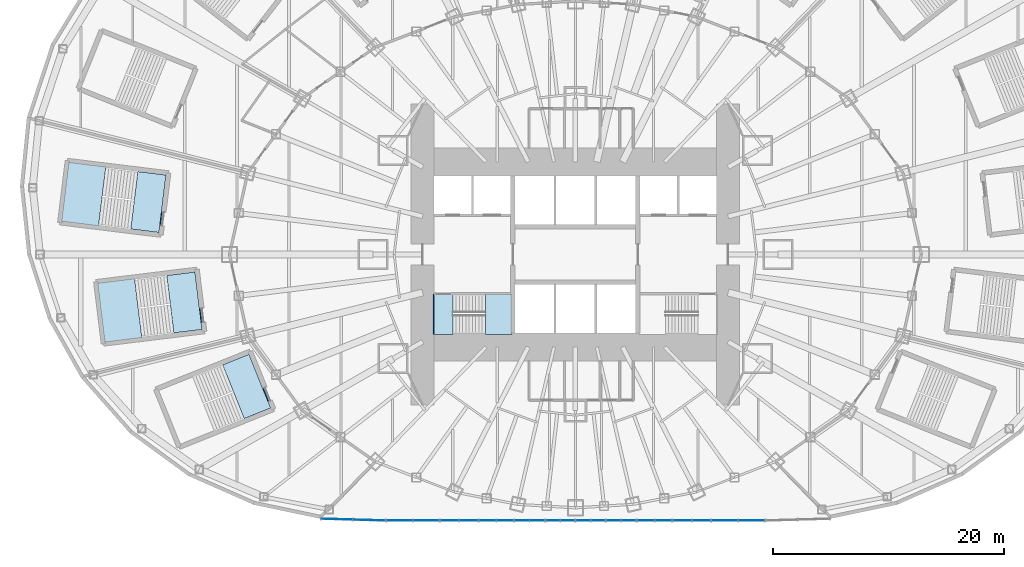
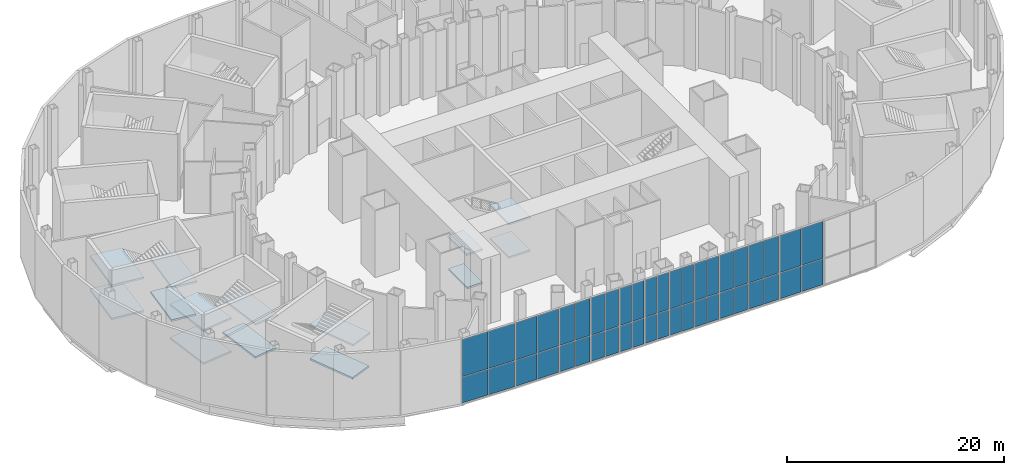
# One storey, part 11 of 73: 44 plates, 14 slabs, 15 elements without a shape of their own.
"""IFC4 building model written with IfcOpenShell, lengths in metres."""

from ifc_helpers import new_model, si_unit, direction, frame, origin, origin_2d, place, context, subcontext, project, spatial, polyline, rectangle, outline, extrude, material, layer, layer_set, type_object, element, aggregate, save


model = new_model("IFC4")

# Units and contexts
model_context = context("Model", 3, precision=1e-05, world=origin(), true_north=direction((0.0, 1.0)))
body_context = subcontext(model_context, "Body", "Model", "MODEL_VIEW")
ifc_project = project(units=[si_unit("LENGTHUNIT", "METRE"), si_unit("AREAUNIT", "SQUARE_METRE"), si_unit("VOLUMEUNIT", "CUBIC_METRE"), si_unit("PLANEANGLEUNIT", "RADIAN"), si_unit("MASSUNIT", "GRAM", prefix="KILO")], contexts=[model_context])

# Site, building, storey
site_placement = place(None, origin())
site = spatial("IfcSite", under=ifc_project, at=site_placement, CompositionType="ELEMENT")
building_placement = place(site_placement, origin())
building = spatial("IfcBuilding", under=site, at=building_placement, Name="Lantaw Convention Tower", CompositionType="ELEMENT")
storey_placement = place(building_placement, frame((0.0, 0.0, 14.5)))
storey = spatial("IfcBuildingStorey", under=building, at=storey_placement, Name="L02", CompositionType="ELEMENT", Elevation=14.5)

# Curtain wall, plates
ifc_material_1 = material(Name="Aluminium framed curtain wall", Category="aluminium")
curtain_wall_type = type_object("IfcCurtainWallType", Name="Podium storefront curtain wall, pale aluminium", PredefinedType="USERDEFINED", material=ifc_material_1)
curtain_wall_1_placement = place(storey_placement, origin())
curtain_wall_1 = element("IfcCurtainWall", 1, at=curtain_wall_1_placement, inside=storey, type_object=curtain_wall_type, Name="Podium storefront curtain wall, pale aluminium L02", ObjectType="STOREFRONT", PredefinedType="USERDEFINED")
ifc_material_2 = material(Name="Laminated clear glass", Category="glass")
ifc_layer_1 = layer(ifc_material_2, 0.031982421875)
ifc_layer_set_1 = layer_set([ifc_layer_1], Name="CW-P panel 32")
plate_type = type_object("IfcPlateType", Name="CW-P panel 32", PredefinedType="CURTAIN_PANEL", material=ifc_layer_set_1)
plate_1_placement = place(storey_placement, frame((-20.622802734375, -22.879638671875, 0.080078125), z_axis=(0.0, 0.0, 1.0), x_axis=(0.99959230263, -0.028552206976, 0.0)))
plate_1 = element("IfcPlate", 2, at=plate_1_placement, type_object=plate_type, Name="CW-P panel 1.1", PredefinedType="CURTAIN_PANEL", context=body_context, shape_type="SweptSolid", body=[
    extrude(rectangle(XDim=2.705810546875, YDim=0.031982421875, at=origin_2d()), origin(), (0.0, 0.0, 1.0), 2.8798828125),
])
plate_2_placement = place(storey_placement, frame((-20.622802734375, -22.879638671875, 3.0400390625), z_axis=(0.0, 0.0, 1.0), x_axis=(0.99959230263, -0.028552206976, 0.0)))
plate_2 = element("IfcPlate", 3, at=plate_2_placement, type_object=plate_type, Name="CW-P panel 1.2", PredefinedType="CURTAIN_PANEL", context=body_context, shape_type="SweptSolid", body=[
    extrude(rectangle(XDim=2.705810546875, YDim=0.031982421875, at=origin_2d()), origin(), (0.0, 0.0, 1.0), 4.179931640625),
])
plate_3_placement = place(storey_placement, frame((-17.838134765625, -22.958984375, 0.080078125), z_axis=(0.0, 0.0, 1.0), x_axis=(0.99959230263, -0.028552206976, 0.0)))
plate_3 = element("IfcPlate", 4, at=plate_3_placement, type_object=plate_type, Name="CW-P panel 2.1", PredefinedType="CURTAIN_PANEL", context=body_context, shape_type="SweptSolid", body=[
    extrude(rectangle(XDim=2.705810546875, YDim=0.031982421875, at=origin_2d()), origin(), (0.0, 0.0, 1.0), 2.8798828125),
])
plate_4_placement = place(storey_placement, frame((-17.838134765625, -22.958984375, 3.0400390625), z_axis=(0.0, 0.0, 1.0), x_axis=(0.99959230263, -0.028552206976, 0.0)))
plate_4 = element("IfcPlate", 5, at=plate_4_placement, type_object=plate_type, Name="CW-P panel 2.2", PredefinedType="CURTAIN_PANEL", context=body_context, shape_type="SweptSolid", body=[
    extrude(rectangle(XDim=2.705810546875, YDim=0.031982421875, at=origin_2d()), origin(), (0.0, 0.0, 1.0), 4.179931640625),
])
aggregate(curtain_wall_1, [plate_1, plate_2, plate_3, plate_4])

curtain_wall_2_placement = place(storey_placement, origin())
curtain_wall_2 = element("IfcCurtainWall", 6, at=curtain_wall_2_placement, inside=storey, type_object=curtain_wall_type, Name="Podium storefront curtain wall, pale aluminium L02", ObjectType="STOREFRONT", PredefinedType="USERDEFINED")
plate_5_placement = place(storey_placement, frame((-15.214111328125, -23.0, 0.080078125), z_axis=(0.0, 0.0, 1.0), x_axis=(1.0, 0.0, 0.0)))
plate_5 = element("IfcPlate", 7, at=plate_5_placement, type_object=plate_type, Name="CW-P panel 1.1", PredefinedType="CURTAIN_PANEL", context=body_context, shape_type="SweptSolid", body=[
    extrude(rectangle(XDim=2.223388671875, YDim=0.031982421875, at=origin_2d()), origin(), (0.0, 0.0, 1.0), 2.8798828125),
])
plate_6_placement = place(storey_placement, frame((-15.214111328125, -23.0, 3.0400390625), z_axis=(0.0, 0.0, 1.0), x_axis=(1.0, 0.0, 0.0)))
plate_6 = element("IfcPlate", 8, at=plate_6_placement, type_object=plate_type, Name="CW-P panel 1.2", PredefinedType="CURTAIN_PANEL", context=body_context, shape_type="SweptSolid", body=[
    extrude(rectangle(XDim=2.223388671875, YDim=0.031982421875, at=origin_2d()), origin(), (0.0, 0.0, 1.0), 4.179931640625),
])
plate_7_placement = place(storey_placement, frame((-12.91064453125, -23.0, 0.080078125), z_axis=(0.0, 0.0, 1.0), x_axis=(1.0, 0.0, 0.0)))
plate_7 = element("IfcPlate", 9, at=plate_7_placement, type_object=plate_type, Name="CW-P panel 2.1", PredefinedType="CURTAIN_PANEL", context=body_context, shape_type="SweptSolid", body=[
    extrude(rectangle(XDim=2.223388671875, YDim=0.031982421875, at=origin_2d()), origin(), (0.0, 0.0, 1.0), 2.8798828125),
])
plate_8_placement = place(storey_placement, frame((-12.91064453125, -23.0, 3.0400390625), z_axis=(0.0, 0.0, 1.0), x_axis=(1.0, 0.0, 0.0)))
plate_8 = element("IfcPlate", 10, at=plate_8_placement, type_object=plate_type, Name="CW-P panel 2.2", PredefinedType="CURTAIN_PANEL", context=body_context, shape_type="SweptSolid", body=[
    extrude(rectangle(XDim=2.223388671875, YDim=0.031982421875, at=origin_2d()), origin(), (0.0, 0.0, 1.0), 4.179931640625),
])
aggregate(curtain_wall_2, [plate_5, plate_6, plate_7, plate_8])

curtain_wall_3_placement = place(storey_placement, origin())
curtain_wall_3 = element("IfcCurtainWall", 11, at=curtain_wall_3_placement, inside=storey, type_object=curtain_wall_type, Name="Podium storefront curtain wall, pale aluminium L02", ObjectType="STOREFRONT", PredefinedType="USERDEFINED")
plate_9_placement = place(storey_placement, frame((-10.862060546875, -23.0, 0.080078125), z_axis=(0.0, 0.0, 1.0), x_axis=(1.0, 0.0, 0.0)))
plate_9 = element("IfcPlate", 12, at=plate_9_placement, type_object=plate_type, Name="CW-P panel 1.1", PredefinedType="CURTAIN_PANEL", context=body_context, shape_type="SweptSolid", body=[
    extrude(rectangle(XDim=1.553955078125, YDim=0.031982421875, at=origin_2d()), origin(), (0.0, 0.0, 1.0), 2.8798828125),
])
plate_10_placement = place(storey_placement, frame((-10.862060546875, -23.0, 3.0400390625), z_axis=(0.0, 0.0, 1.0), x_axis=(1.0, 0.0, 0.0)))
plate_10 = element("IfcPlate", 13, at=plate_10_placement, type_object=plate_type, Name="CW-P panel 1.2", PredefinedType="CURTAIN_PANEL", context=body_context, shape_type="SweptSolid", body=[
    extrude(rectangle(XDim=1.553955078125, YDim=0.031982421875, at=origin_2d()), origin(), (0.0, 0.0, 1.0), 4.179931640625),
])
plate_11_placement = place(storey_placement, frame((-9.228271484375, -23.0, 0.080078125), z_axis=(0.0, 0.0, 1.0), x_axis=(1.0, 0.0, 0.0)))
plate_11 = element("IfcPlate", 14, at=plate_11_placement, type_object=plate_type, Name="CW-P panel 2.1", PredefinedType="CURTAIN_PANEL", context=body_context, shape_type="SweptSolid", body=[
    extrude(rectangle(XDim=1.553955078125, YDim=0.031982421875, at=origin_2d()), origin(), (0.0, 0.0, 1.0), 2.8798828125),
])
plate_12_placement = place(storey_placement, frame((-9.228271484375, -23.0, 3.0400390625), z_axis=(0.0, 0.0, 1.0), x_axis=(1.0, 0.0, 0.0)))
plate_12 = element("IfcPlate", 15, at=plate_12_placement, type_object=plate_type, Name="CW-P panel 2.2", PredefinedType="CURTAIN_PANEL", context=body_context, shape_type="SweptSolid", body=[
    extrude(rectangle(XDim=1.553955078125, YDim=0.031982421875, at=origin_2d()), origin(), (0.0, 0.0, 1.0), 4.179931640625),
])
aggregate(curtain_wall_3, [plate_9, plate_10, plate_11, plate_12])

curtain_wall_4_placement = place(storey_placement, origin())
curtain_wall_4 = element("IfcCurtainWall", 16, at=curtain_wall_4_placement, inside=storey, type_object=curtain_wall_type, Name="Podium storefront curtain wall, pale aluminium L02", ObjectType="STOREFRONT", PredefinedType="USERDEFINED")
plate_13_placement = place(storey_placement, frame((-7.5859375, -23.0, 0.080078125), z_axis=(0.0, 0.0, 1.0), x_axis=(1.0, 0.0, 0.0)))
plate_13 = element("IfcPlate", 17, at=plate_13_placement, type_object=plate_type, Name="CW-P panel 1.1", PredefinedType="CURTAIN_PANEL", context=body_context, shape_type="SweptSolid", body=[
    extrude(rectangle(XDim=1.41064453125, YDim=0.031982421875, at=origin_2d()), origin(), (0.0, 0.0, 1.0), 2.8798828125),
])
plate_14_placement = place(storey_placement, frame((-7.5859375, -23.0, 3.0400390625), z_axis=(0.0, 0.0, 1.0), x_axis=(1.0, 0.0, 0.0)))
plate_14 = element("IfcPlate", 18, at=plate_14_placement, type_object=plate_type, Name="CW-P panel 1.2", PredefinedType="CURTAIN_PANEL", context=body_context, shape_type="SweptSolid", body=[
    extrude(rectangle(XDim=1.41064453125, YDim=0.031982421875, at=origin_2d()), origin(), (0.0, 0.0, 1.0), 4.179931640625),
])
plate_15_placement = place(storey_placement, frame((-6.09521484375, -23.0, 0.080078125), z_axis=(0.0, 0.0, 1.0), x_axis=(1.0, 0.0, 0.0)))
plate_15 = element("IfcPlate", 19, at=plate_15_placement, type_object=plate_type, Name="CW-P panel 2.1", PredefinedType="CURTAIN_PANEL", context=body_context, shape_type="SweptSolid", body=[
    extrude(rectangle(XDim=1.41064453125, YDim=0.031982421875, at=origin_2d()), origin(), (0.0, 0.0, 1.0), 2.8798828125),
])
plate_16_placement = place(storey_placement, frame((-6.09521484375, -23.0, 3.0400390625), z_axis=(0.0, 0.0, 1.0), x_axis=(1.0, 0.0, 0.0)))
plate_16 = element("IfcPlate", 20, at=plate_16_placement, type_object=plate_type, Name="CW-P panel 2.2", PredefinedType="CURTAIN_PANEL", context=body_context, shape_type="SweptSolid", body=[
    extrude(rectangle(XDim=1.41064453125, YDim=0.031982421875, at=origin_2d()), origin(), (0.0, 0.0, 1.0), 4.179931640625),
])
aggregate(curtain_wall_4, [plate_13, plate_14, plate_15, plate_16])

curtain_wall_5_placement = place(storey_placement, origin())
curtain_wall_5 = element("IfcCurtainWall", 21, at=curtain_wall_5_placement, inside=storey, type_object=curtain_wall_type, Name="Podium storefront curtain wall, pale aluminium L02", ObjectType="STOREFRONT", PredefinedType="USERDEFINED")
plate_17_placement = place(storey_placement, frame((-4.61767578125, -23.0, 0.080078125), z_axis=(0.0, 0.0, 1.0), x_axis=(1.0, 0.0, 0.0)))
plate_17 = element("IfcPlate", 22, at=plate_17_placement, type_object=plate_type, Name="CW-P panel 1.1", PredefinedType="CURTAIN_PANEL", context=body_context, shape_type="SweptSolid", body=[
    extrude(rectangle(XDim=1.224609375, YDim=0.031982421875, at=origin_2d()), origin(), (0.0, 0.0, 1.0), 2.8798828125),
])
plate_18_placement = place(storey_placement, frame((-4.61767578125, -23.0, 3.0400390625), z_axis=(0.0, 0.0, 1.0), x_axis=(1.0, 0.0, 0.0)))
plate_18 = element("IfcPlate", 23, at=plate_18_placement, type_object=plate_type, Name="CW-P panel 1.2", PredefinedType="CURTAIN_PANEL", context=body_context, shape_type="SweptSolid", body=[
    extrude(rectangle(XDim=1.224609375, YDim=0.031982421875, at=origin_2d()), origin(), (0.0, 0.0, 1.0), 4.179931640625),
])
plate_19_placement = place(storey_placement, frame((-3.31298828125, -23.0, 0.080078125), z_axis=(0.0, 0.0, 1.0), x_axis=(1.0, 0.0, 0.0)))
plate_19 = element("IfcPlate", 24, at=plate_19_placement, type_object=plate_type, Name="CW-P panel 2.1", PredefinedType="CURTAIN_PANEL", context=body_context, shape_type="SweptSolid", body=[
    extrude(rectangle(XDim=1.224609375, YDim=0.031982421875, at=origin_2d()), origin(), (0.0, 0.0, 1.0), 2.8798828125),
])
plate_20_placement = place(storey_placement, frame((-3.31298828125, -23.0, 3.0400390625), z_axis=(0.0, 0.0, 1.0), x_axis=(1.0, 0.0, 0.0)))
plate_20 = element("IfcPlate", 25, at=plate_20_placement, type_object=plate_type, Name="CW-P panel 2.2", PredefinedType="CURTAIN_PANEL", context=body_context, shape_type="SweptSolid", body=[
    extrude(rectangle(XDim=1.224609375, YDim=0.031982421875, at=origin_2d()), origin(), (0.0, 0.0, 1.0), 4.179931640625),
])
aggregate(curtain_wall_5, [plate_17, plate_18, plate_19, plate_20])

curtain_wall_6_placement = place(storey_placement, origin())
curtain_wall_6 = element("IfcCurtainWall", 26, at=curtain_wall_6_placement, inside=storey, type_object=curtain_wall_type, Name="Podium storefront curtain wall, pale aluminium L02", ObjectType="STOREFRONT", PredefinedType="USERDEFINED")
plate_21_placement = place(storey_placement, frame((-1.9453125, -23.0, 0.080078125), z_axis=(0.0, 0.0, 1.0), x_axis=(1.0, 0.0, 0.0)))
plate_21 = element("IfcPlate", 27, at=plate_21_placement, type_object=plate_type, Name="CW-P panel 1.1", PredefinedType="CURTAIN_PANEL", context=body_context, shape_type="SweptSolid", body=[
    extrude(rectangle(XDim=1.190185546875, YDim=0.031982421875, at=origin_2d()), origin(), (0.0, 0.0, 1.0), 2.8798828125),
])
plate_22_placement = place(storey_placement, frame((-1.9453125, -23.0, 3.0400390625), z_axis=(0.0, 0.0, 1.0), x_axis=(1.0, 0.0, 0.0)))
plate_22 = element("IfcPlate", 28, at=plate_22_placement, type_object=plate_type, Name="CW-P panel 1.2", PredefinedType="CURTAIN_PANEL", context=body_context, shape_type="SweptSolid", body=[
    extrude(rectangle(XDim=1.190185546875, YDim=0.031982421875, at=origin_2d()), origin(), (0.0, 0.0, 1.0), 4.179931640625),
])
plate_23_placement = place(storey_placement, frame((-0.675048828125, -23.0, 0.080078125), z_axis=(0.0, 0.0, 1.0), x_axis=(1.0, 0.0, 0.0)))
plate_23 = element("IfcPlate", 29, at=plate_23_placement, type_object=plate_type, Name="CW-P panel 2.1", PredefinedType="CURTAIN_PANEL", context=body_context, shape_type="SweptSolid", body=[
    extrude(rectangle(XDim=1.190185546875, YDim=0.031982421875, at=origin_2d()), origin(), (0.0, 0.0, 1.0), 2.8798828125),
])
plate_24_placement = place(storey_placement, frame((-0.675048828125, -23.0, 3.0400390625), z_axis=(0.0, 0.0, 1.0), x_axis=(1.0, 0.0, 0.0)))
plate_24 = element("IfcPlate", 30, at=plate_24_placement, type_object=plate_type, Name="CW-P panel 2.2", PredefinedType="CURTAIN_PANEL", context=body_context, shape_type="SweptSolid", body=[
    extrude(rectangle(XDim=1.190185546875, YDim=0.031982421875, at=origin_2d()), origin(), (0.0, 0.0, 1.0), 4.179931640625),
])
aggregate(curtain_wall_6, [plate_21, plate_22, plate_23, plate_24])

curtain_wall_7_placement = place(storey_placement, origin())
curtain_wall_7 = element("IfcCurtainWall", 31, at=curtain_wall_7_placement, inside=storey, type_object=curtain_wall_type, Name="Podium storefront curtain wall, pale aluminium L02", ObjectType="STOREFRONT", PredefinedType="USERDEFINED")
plate_25_placement = place(storey_placement, frame((0.675048828125, -23.0, 0.080078125), z_axis=(0.0, 0.0, 1.0), x_axis=(1.0, 0.0, 0.0)))
plate_25 = element("IfcPlate", 32, at=plate_25_placement, type_object=plate_type, Name="CW-P panel 1.1", PredefinedType="CURTAIN_PANEL", context=body_context, shape_type="SweptSolid", body=[
    extrude(rectangle(XDim=1.190185546875, YDim=0.031982421875, at=origin_2d()), origin(), (0.0, 0.0, 1.0), 2.8798828125),
])
plate_26_placement = place(storey_placement, frame((0.675048828125, -23.0, 3.0400390625), z_axis=(0.0, 0.0, 1.0), x_axis=(1.0, 0.0, 0.0)))
plate_26 = element("IfcPlate", 33, at=plate_26_placement, type_object=plate_type, Name="CW-P panel 1.2", PredefinedType="CURTAIN_PANEL", context=body_context, shape_type="SweptSolid", body=[
    extrude(rectangle(XDim=1.190185546875, YDim=0.031982421875, at=origin_2d()), origin(), (0.0, 0.0, 1.0), 4.179931640625),
])
plate_27_placement = place(storey_placement, frame((1.9453125, -23.0, 0.080078125), z_axis=(0.0, 0.0, 1.0), x_axis=(1.0, 0.0, 0.0)))
plate_27 = element("IfcPlate", 34, at=plate_27_placement, type_object=plate_type, Name="CW-P panel 2.1", PredefinedType="CURTAIN_PANEL", context=body_context, shape_type="SweptSolid", body=[
    extrude(rectangle(XDim=1.190185546875, YDim=0.031982421875, at=origin_2d()), origin(), (0.0, 0.0, 1.0), 2.8798828125),
])
plate_28_placement = place(storey_placement, frame((1.9453125, -23.0, 3.0400390625), z_axis=(0.0, 0.0, 1.0), x_axis=(1.0, 0.0, 0.0)))
plate_28 = element("IfcPlate", 35, at=plate_28_placement, type_object=plate_type, Name="CW-P panel 2.2", PredefinedType="CURTAIN_PANEL", context=body_context, shape_type="SweptSolid", body=[
    extrude(rectangle(XDim=1.190185546875, YDim=0.031982421875, at=origin_2d()), origin(), (0.0, 0.0, 1.0), 4.179931640625),
])
aggregate(curtain_wall_7, [plate_25, plate_26, plate_27, plate_28])

curtain_wall_8_placement = place(storey_placement, origin())
curtain_wall_8 = element("IfcCurtainWall", 36, at=curtain_wall_8_placement, inside=storey, type_object=curtain_wall_type, Name="Podium storefront curtain wall, pale aluminium L02", ObjectType="STOREFRONT", PredefinedType="USERDEFINED")
plate_29_placement = place(storey_placement, frame((3.31298828125, -23.0, 0.080078125), z_axis=(0.0, 0.0, 1.0), x_axis=(1.0, 0.0, 0.0)))
plate_29 = element("IfcPlate", 37, at=plate_29_placement, type_object=plate_type, Name="CW-P panel 1.1", PredefinedType="CURTAIN_PANEL", context=body_context, shape_type="SweptSolid", body=[
    extrude(rectangle(XDim=1.224609375, YDim=0.031982421875, at=origin_2d()), origin(), (0.0, 0.0, 1.0), 2.8798828125),
])
plate_30_placement = place(storey_placement, frame((3.31298828125, -23.0, 3.0400390625), z_axis=(0.0, 0.0, 1.0), x_axis=(1.0, 0.0, 0.0)))
plate_30 = element("IfcPlate", 38, at=plate_30_placement, type_object=plate_type, Name="CW-P panel 1.2", PredefinedType="CURTAIN_PANEL", context=body_context, shape_type="SweptSolid", body=[
    extrude(rectangle(XDim=1.224609375, YDim=0.031982421875, at=origin_2d()), origin(), (0.0, 0.0, 1.0), 4.179931640625),
])
plate_31_placement = place(storey_placement, frame((4.61767578125, -23.0, 0.080078125), z_axis=(0.0, 0.0, 1.0), x_axis=(1.0, 0.0, 0.0)))
plate_31 = element("IfcPlate", 39, at=plate_31_placement, type_object=plate_type, Name="CW-P panel 2.1", PredefinedType="CURTAIN_PANEL", context=body_context, shape_type="SweptSolid", body=[
    extrude(rectangle(XDim=1.224609375, YDim=0.031982421875, at=origin_2d()), origin(), (0.0, 0.0, 1.0), 2.8798828125),
])
plate_32_placement = place(storey_placement, frame((4.61767578125, -23.0, 3.0400390625), z_axis=(0.0, 0.0, 1.0), x_axis=(1.0, 0.0, 0.0)))
plate_32 = element("IfcPlate", 40, at=plate_32_placement, type_object=plate_type, Name="CW-P panel 2.2", PredefinedType="CURTAIN_PANEL", context=body_context, shape_type="SweptSolid", body=[
    extrude(rectangle(XDim=1.224609375, YDim=0.031982421875, at=origin_2d()), origin(), (0.0, 0.0, 1.0), 4.179931640625),
])
aggregate(curtain_wall_8, [plate_29, plate_30, plate_31, plate_32])

curtain_wall_9_placement = place(storey_placement, origin())
curtain_wall_9 = element("IfcCurtainWall", 41, at=curtain_wall_9_placement, inside=storey, type_object=curtain_wall_type, Name="Podium storefront curtain wall, pale aluminium L02", ObjectType="STOREFRONT", PredefinedType="USERDEFINED")
plate_33_placement = place(storey_placement, frame((6.09521484375, -23.0, 0.080078125), z_axis=(0.0, 0.0, 1.0), x_axis=(1.0, 0.0, 0.0)))
plate_33 = element("IfcPlate", 42, at=plate_33_placement, type_object=plate_type, Name="CW-P panel 1.1", PredefinedType="CURTAIN_PANEL", context=body_context, shape_type="SweptSolid", body=[
    extrude(rectangle(XDim=1.41064453125, YDim=0.031982421875, at=origin_2d()), origin(), (0.0, 0.0, 1.0), 2.8798828125),
])
plate_34_placement = place(storey_placement, frame((6.09521484375, -23.0, 3.0400390625), z_axis=(0.0, 0.0, 1.0), x_axis=(1.0, 0.0, 0.0)))
plate_34 = element("IfcPlate", 43, at=plate_34_placement, type_object=plate_type, Name="CW-P panel 1.2", PredefinedType="CURTAIN_PANEL", context=body_context, shape_type="SweptSolid", body=[
    extrude(rectangle(XDim=1.41064453125, YDim=0.031982421875, at=origin_2d()), origin(), (0.0, 0.0, 1.0), 4.179931640625),
])
plate_35_placement = place(storey_placement, frame((7.5859375, -23.0, 0.080078125), z_axis=(0.0, 0.0, 1.0), x_axis=(1.0, 0.0, 0.0)))
plate_35 = element("IfcPlate", 44, at=plate_35_placement, type_object=plate_type, Name="CW-P panel 2.1", PredefinedType="CURTAIN_PANEL", context=body_context, shape_type="SweptSolid", body=[
    extrude(rectangle(XDim=1.41064453125, YDim=0.031982421875, at=origin_2d()), origin(), (0.0, 0.0, 1.0), 2.8798828125),
])
plate_36_placement = place(storey_placement, frame((7.5859375, -23.0, 3.0400390625), z_axis=(0.0, 0.0, 1.0), x_axis=(1.0, 0.0, 0.0)))
plate_36 = element("IfcPlate", 45, at=plate_36_placement, type_object=plate_type, Name="CW-P panel 2.2", PredefinedType="CURTAIN_PANEL", context=body_context, shape_type="SweptSolid", body=[
    extrude(rectangle(XDim=1.41064453125, YDim=0.031982421875, at=origin_2d()), origin(), (0.0, 0.0, 1.0), 4.179931640625),
])
aggregate(curtain_wall_9, [plate_33, plate_34, plate_35, plate_36])

curtain_wall_10_placement = place(storey_placement, origin())
curtain_wall_10 = element("IfcCurtainWall", 46, at=curtain_wall_10_placement, inside=storey, type_object=curtain_wall_type, Name="Podium storefront curtain wall, pale aluminium L02", ObjectType="STOREFRONT", PredefinedType="USERDEFINED")
plate_37_placement = place(storey_placement, frame((9.228271484375, -23.0, 0.080078125), z_axis=(0.0, 0.0, 1.0), x_axis=(1.0, 0.0, 0.0)))
plate_37 = element("IfcPlate", 47, at=plate_37_placement, type_object=plate_type, Name="CW-P panel 1.1", PredefinedType="CURTAIN_PANEL", context=body_context, shape_type="SweptSolid", body=[
    extrude(rectangle(XDim=1.553955078125, YDim=0.031982421875, at=origin_2d()), origin(), (0.0, 0.0, 1.0), 2.8798828125),
])
plate_38_placement = place(storey_placement, frame((9.228271484375, -23.0, 3.0400390625), z_axis=(0.0, 0.0, 1.0), x_axis=(1.0, 0.0, 0.0)))
plate_38 = element("IfcPlate", 48, at=plate_38_placement, type_object=plate_type, Name="CW-P panel 1.2", PredefinedType="CURTAIN_PANEL", context=body_context, shape_type="SweptSolid", body=[
    extrude(rectangle(XDim=1.553955078125, YDim=0.031982421875, at=origin_2d()), origin(), (0.0, 0.0, 1.0), 4.179931640625),
])
plate_39_placement = place(storey_placement, frame((10.862060546875, -23.0, 0.080078125), z_axis=(0.0, 0.0, 1.0), x_axis=(1.0, 0.0, 0.0)))
plate_39 = element("IfcPlate", 49, at=plate_39_placement, type_object=plate_type, Name="CW-P panel 2.1", PredefinedType="CURTAIN_PANEL", context=body_context, shape_type="SweptSolid", body=[
    extrude(rectangle(XDim=1.553955078125, YDim=0.031982421875, at=origin_2d()), origin(), (0.0, 0.0, 1.0), 2.8798828125),
])
plate_40_placement = place(storey_placement, frame((10.862060546875, -23.0, 3.0400390625), z_axis=(0.0, 0.0, 1.0), x_axis=(1.0, 0.0, 0.0)))
plate_40 = element("IfcPlate", 50, at=plate_40_placement, type_object=plate_type, Name="CW-P panel 2.2", PredefinedType="CURTAIN_PANEL", context=body_context, shape_type="SweptSolid", body=[
    extrude(rectangle(XDim=1.553955078125, YDim=0.031982421875, at=origin_2d()), origin(), (0.0, 0.0, 1.0), 4.179931640625),
])
aggregate(curtain_wall_10, [plate_37, plate_38, plate_39, plate_40])

curtain_wall_11_placement = place(storey_placement, origin())
curtain_wall_11 = element("IfcCurtainWall", 51, at=curtain_wall_11_placement, inside=storey, type_object=curtain_wall_type, Name="Podium storefront curtain wall, pale aluminium L02", ObjectType="STOREFRONT", PredefinedType="USERDEFINED")
plate_41_placement = place(storey_placement, frame((12.91064453125, -23.0, 0.080078125), z_axis=(0.0, 0.0, 1.0), x_axis=(1.0, 0.0, 0.0)))
plate_41 = element("IfcPlate", 52, at=plate_41_placement, type_object=plate_type, Name="CW-P panel 1.1", PredefinedType="CURTAIN_PANEL", context=body_context, shape_type="SweptSolid", body=[
    extrude(rectangle(XDim=2.223388671875, YDim=0.031982421875, at=origin_2d()), origin(), (0.0, 0.0, 1.0), 2.8798828125),
])
plate_42_placement = place(storey_placement, frame((12.91064453125, -23.0, 3.0400390625), z_axis=(0.0, 0.0, 1.0), x_axis=(1.0, 0.0, 0.0)))
plate_42 = element("IfcPlate", 53, at=plate_42_placement, type_object=plate_type, Name="CW-P panel 1.2", PredefinedType="CURTAIN_PANEL", context=body_context, shape_type="SweptSolid", body=[
    extrude(rectangle(XDim=2.223388671875, YDim=0.031982421875, at=origin_2d()), origin(), (0.0, 0.0, 1.0), 4.179931640625),
])
plate_43_placement = place(storey_placement, frame((15.214111328125, -23.0, 0.080078125), z_axis=(0.0, 0.0, 1.0), x_axis=(1.0, 0.0, 0.0)))
plate_43 = element("IfcPlate", 54, at=plate_43_placement, type_object=plate_type, Name="CW-P panel 2.1", PredefinedType="CURTAIN_PANEL", context=body_context, shape_type="SweptSolid", body=[
    extrude(rectangle(XDim=2.223388671875, YDim=0.031982421875, at=origin_2d()), origin(), (0.0, 0.0, 1.0), 2.8798828125),
])
plate_44_placement = place(storey_placement, frame((15.214111328125, -23.0, 3.0400390625), z_axis=(0.0, 0.0, 1.0), x_axis=(1.0, 0.0, 0.0)))
plate_44 = element("IfcPlate", 55, at=plate_44_placement, type_object=plate_type, Name="CW-P panel 2.2", PredefinedType="CURTAIN_PANEL", context=body_context, shape_type="SweptSolid", body=[
    extrude(rectangle(XDim=2.223388671875, YDim=0.031982421875, at=origin_2d()), origin(), (0.0, 0.0, 1.0), 4.179931640625),
])
aggregate(curtain_wall_11, [plate_41, plate_42, plate_43, plate_44])

# Stair, slabs
ifc_material_3 = material(Name="Concrete C35/45", Category="concrete")
stair_type_1 = type_object("IfcStairType", Name="Exit stair 1500 riser 170.45 in 4 flights", PredefinedType="HALF_TURN_STAIR", material=ifc_material_3)
stair_1_placement = place(storey_placement, origin())
stair_1 = element("IfcStair", 56, at=stair_1_placement, inside=storey, type_object=stair_type_1, Name="Exit stair S1 L02", PredefinedType="HALF_TURN_STAIR")
ifc_layer_2 = layer(ifc_material_3, 0.199951171875)
ifc_layer_set_2 = layer_set([ifc_layer_2], Name="Stair landing 200")
slab_type = type_object("IfcSlabType", Name="Stair landing 200", PredefinedType="LANDING", material=ifc_layer_set_2)
slab_1_placement = place(storey_placement, frame((0.0, 0.0, -0.199951171875)))
slab_1 = element("IfcSlab", 57, at=slab_1_placement, type_object=slab_type, Name="S1 landing 1", PredefinedType="LANDING", context=body_context, shape_type="SweptSolid", body=[
    extrude(outline(polyline([(-12.199951171875, -6.89990234375), (-10.580078125, -6.89990234375), (-10.580078125, -3.39990234375), (-12.199951171875, -3.39990234375), (-12.199951171875, -6.89990234375)])), origin(), (0.0, 0.0, 1.0), 0.199951171875),
])
slab_2_placement = place(storey_placement, frame((0.0, 0.0, 1.675048828125)))
slab_2 = element("IfcSlab", 58, at=slab_2_placement, type_object=slab_type, Name="S1 landing 2", PredefinedType="LANDING", context=body_context, shape_type="SweptSolid", body=[
    extrude(outline(polyline([(-7.780029296875, -6.89990234375), (-5.5, -6.89990234375), (-5.5, -3.39990234375), (-7.780029296875, -3.39990234375), (-7.780029296875, -6.89990234375)])), origin(), (0.0, 0.0, 1.0), 0.199951171875),
])
slab_3_placement = place(storey_placement, frame((0.0, 0.0, 3.550048828125)))
slab_3 = element("IfcSlab", 59, at=slab_3_placement, type_object=slab_type, Name="S1 landing 3", PredefinedType="LANDING", context=body_context, shape_type="SweptSolid", body=[
    extrude(outline(polyline([(-12.300048828125, -6.89990234375), (-10.580078125, -6.89990234375), (-10.580078125, -3.39990234375), (-12.300048828125, -3.39990234375), (-12.300048828125, -6.89990234375)])), origin(), (0.0, 0.0, 1.0), 0.199951171875),
])
slab_4_placement = place(storey_placement, frame((0.0, 0.0, 5.425048828125)))
slab_4 = element("IfcSlab", 60, at=slab_4_placement, type_object=slab_type, Name="S1 landing 4", PredefinedType="LANDING", context=body_context, shape_type="SweptSolid", body=[
    extrude(outline(polyline([(-7.780029296875, -6.89990234375), (-5.5, -6.89990234375), (-5.5, -3.39990234375), (-7.780029296875, -3.39990234375), (-7.780029296875, -6.89990234375)])), origin(), (0.0, 0.0, 1.0), 0.199951171875),
])
aggregate(stair_1, [slab_1, slab_2, slab_3, slab_4])

stair_type_2 = type_object("IfcStairType", Name="Exit stair 2400 riser 170.45 in 4 flights", PredefinedType="HALF_TURN_STAIR", material=ifc_material_3)
stair_2_placement = place(storey_placement, origin())
stair_2 = element("IfcStair", 61, at=stair_2_placement, inside=storey, type_object=stair_type_2, Name="Podium exit stair P9 L02", PredefinedType="HALF_TURN_STAIR")
slab_5_placement = place(storey_placement, frame((0.0, 0.0, -0.199951171875)))
slab_5 = element("IfcSlab", 62, at=slab_5_placement, type_object=slab_type, Name="P9 landing 1", PredefinedType="LANDING", context=body_context, shape_type="SweptSolid", body=[
    extrude(outline(polyline([(-35.387451171875, 6.86376953125), (-37.8212890625, 7.16259765625), (-38.4306640625, 2.199951171875), (-35.996826171875, 1.901123046875), (-35.387451171875, 6.86376953125)])), origin(), (0.0, 0.0, 1.0), 0.199951171875),
])
slab_6_placement = place(storey_placement, frame((0.0, 0.0, 1.675048828125)))
slab_6 = element("IfcSlab", 63, at=slab_6_placement, type_object=slab_type, Name="P9 landing 2", PredefinedType="LANDING", context=body_context, shape_type="SweptSolid", body=[
    extrude(outline(polyline([(-40.586669921875, 7.582763671875), (-43.794677734375, 7.9765625), (-44.42333984375, 2.855224609375), (-41.215576171875, 2.461181640625), (-40.586669921875, 7.582763671875)])), origin(), (0.0, 0.0, 1.0), 0.199951171875),
])
slab_7_placement = place(storey_placement, frame((0.0, 0.0, 3.550048828125)))
slab_7 = element("IfcSlab", 64, at=slab_7_placement, type_object=slab_type, Name="P9 landing 3", PredefinedType="LANDING", context=body_context, shape_type="SweptSolid", body=[
    extrude(outline(polyline([(-35.29833984375, 6.93359375), (-37.8115234375, 7.241943359375), (-38.4404296875, 2.12060546875), (-35.92724609375, 1.81201171875), (-35.29833984375, 6.93359375)])), origin(), (0.0, 0.0, 1.0), 0.199951171875),
])
slab_8_placement = place(storey_placement, frame((0.0, 0.0, 5.425048828125)))
slab_8 = element("IfcSlab", 65, at=slab_8_placement, type_object=slab_type, Name="P9 landing 4", PredefinedType="LANDING", context=body_context, shape_type="SweptSolid", body=[
    extrude(outline(polyline([(-40.586669921875, 7.582763671875), (-43.794677734375, 7.9765625), (-44.42333984375, 2.855224609375), (-41.215576171875, 2.461181640625), (-40.586669921875, 7.582763671875)])), origin(), (0.0, 0.0, 1.0), 0.199951171875),
])
aggregate(stair_2, [slab_5, slab_6, slab_7, slab_8])

stair_3_placement = place(storey_placement, origin())
stair_3 = element("IfcStair", 66, at=stair_3_placement, inside=storey, type_object=stair_type_2, Name="Podium exit stair P10 L02", PredefinedType="HALF_TURN_STAIR")
slab_9_placement = place(storey_placement, frame((0.0, 0.0, -0.199951171875)))
slab_9 = element("IfcSlab", 67, at=slab_9_placement, type_object=slab_type, Name="P10 landing 1", PredefinedType="LANDING", context=body_context, shape_type="SweptSolid", body=[
    extrude(outline(polyline([(-32.8828125, -1.518798828125), (-35.31640625, -1.817626953125), (-34.70703125, -6.7802734375), (-32.2734375, -6.4814453125), (-32.8828125, -1.518798828125)])), origin(), (0.0, 0.0, 1.0), 0.199951171875),
])
slab_10_placement = place(storey_placement, frame((0.0, 0.0, 1.675048828125)))
slab_10 = element("IfcSlab", 68, at=slab_10_placement, type_object=slab_type, Name="P10 landing 2", PredefinedType="LANDING", context=body_context, shape_type="SweptSolid", body=[
    extrude(outline(polyline([(-38.101318359375, -2.078857421875), (-41.309326171875, -2.47265625), (-40.680419921875, -7.59423828125), (-37.47265625, -7.200439453125), (-38.101318359375, -2.078857421875)])), origin(), (0.0, 0.0, 1.0), 0.199951171875),
])
slab_11_placement = place(storey_placement, frame((0.0, 0.0, 3.550048828125)))
slab_11 = element("IfcSlab", 69, at=slab_11_placement, type_object=slab_type, Name="P10 landing 3", PredefinedType="LANDING", context=body_context, shape_type="SweptSolid", body=[
    extrude(outline(polyline([(-32.81298828125, -1.4296875), (-35.326171875, -1.738037109375), (-34.697265625, -6.859619140625), (-32.184326171875, -6.551025390625), (-32.81298828125, -1.4296875)])), origin(), (0.0, 0.0, 1.0), 0.199951171875),
])
slab_12_placement = place(storey_placement, frame((0.0, 0.0, 5.425048828125)))
slab_12 = element("IfcSlab", 70, at=slab_12_placement, type_object=slab_type, Name="P10 landing 4", PredefinedType="LANDING", context=body_context, shape_type="SweptSolid", body=[
    extrude(outline(polyline([(-38.101318359375, -2.078857421875), (-41.309326171875, -2.47265625), (-40.680419921875, -7.59423828125), (-37.47265625, -7.200439453125), (-38.101318359375, -2.078857421875)])), origin(), (0.0, 0.0, 1.0), 0.199951171875),
])
aggregate(stair_3, [slab_9, slab_10, slab_11, slab_12])

stair_4_placement = place(storey_placement, origin())
stair_4 = element("IfcStair", 71, at=stair_4_placement, inside=storey, type_object=stair_type_2, Name="Podium exit stair P11 L02", PredefinedType="HALF_TURN_STAIR")
slab_13_placement = place(storey_placement, frame((0.0, 0.0, -0.199951171875)))
slab_13 = element("IfcSlab", 72, at=slab_13_placement, type_object=slab_type, Name="P11 landing 1", PredefinedType="LANDING", context=body_context, shape_type="SweptSolid", body=[
    extrude(outline(polyline([(-28.209716796875, -8.630615234375), (-30.4853515625, -9.544189453125), (-28.62255859375, -14.18408203125), (-26.346923828125, -13.270751953125), (-28.209716796875, -8.630615234375)])), origin(), (0.0, 0.0, 1.0), 0.199951171875),
])
slab_14_placement = place(storey_placement, frame((0.0, 0.0, 3.550048828125)))
slab_14 = element("IfcSlab", 73, at=slab_14_placement, type_object=slab_type, Name="P11 landing 3", PredefinedType="LANDING", context=body_context, shape_type="SweptSolid", body=[
    extrude(outline(polyline([(-28.165283203125, -8.526611328125), (-30.51513671875, -9.4697265625), (-28.5927734375, -14.25830078125), (-26.242919921875, -13.315185546875), (-28.165283203125, -8.526611328125)])), origin(), (0.0, 0.0, 1.0), 0.199951171875),
])
aggregate(stair_4, [slab_13, slab_14])

save(model, "model.ifc")
